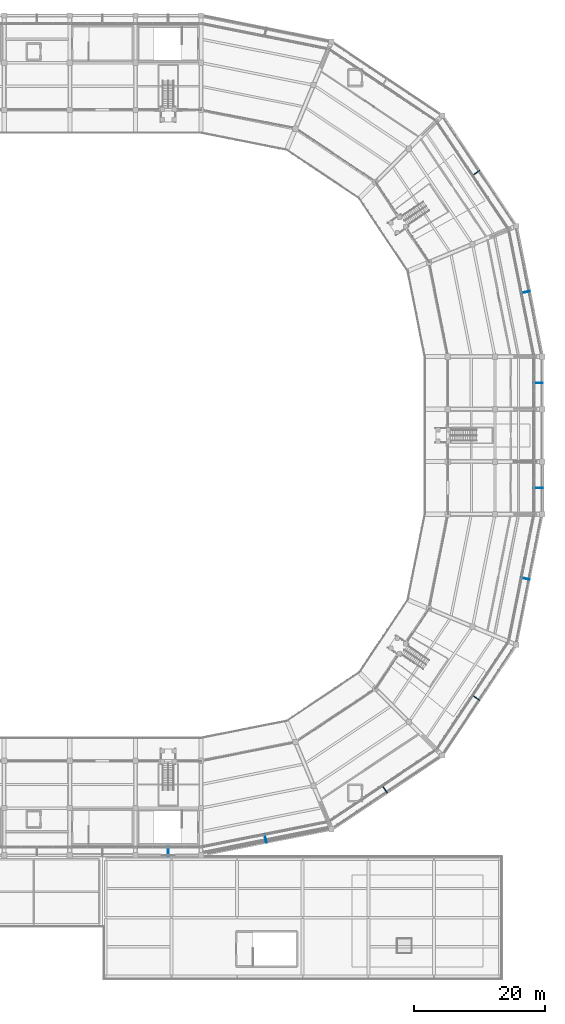
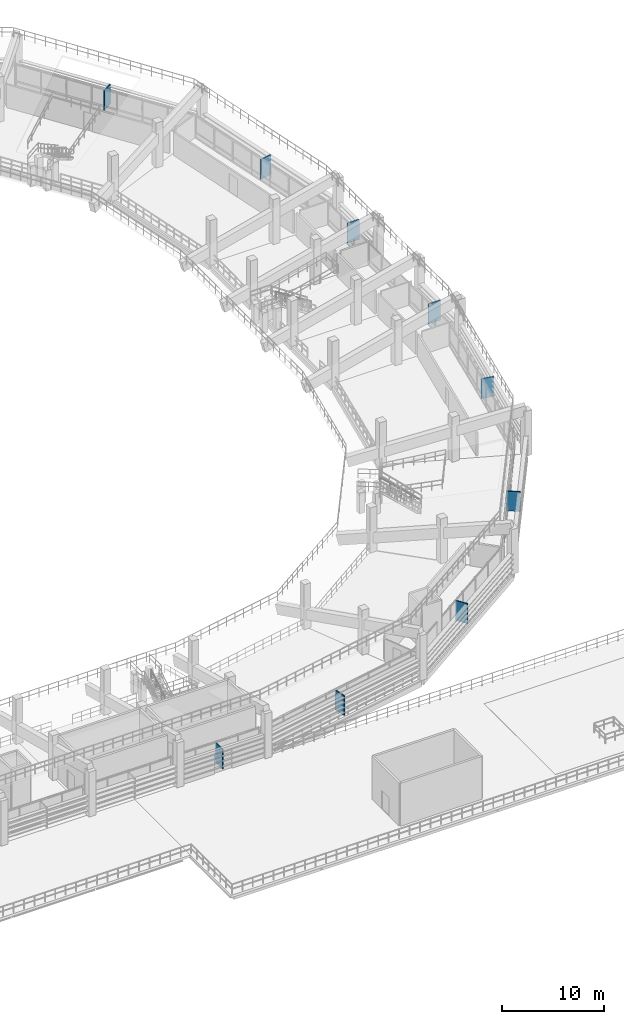
# One storey, part 73 of 96: 9 discrete accessories.
"""IFC4 building model written with IfcOpenShell, lengths in metres."""

from ifc_helpers import new_model, si_unit, direction, frame, origin, origin_2d, place, context, subcontext, project, spatial, rectangle, extrude, material, type_object, element, save


model = new_model("IFC4")

# Units and contexts
model_context = context("Model", 3, precision=1e-05, world=origin(), true_north=direction((0.0, 1.0)))
body_context = subcontext(model_context, "Body", "Model", "MODEL_VIEW")
ifc_project = project(units=[si_unit("LENGTHUNIT", "METRE"), si_unit("AREAUNIT", "SQUARE_METRE"), si_unit("VOLUMEUNIT", "CUBIC_METRE"), si_unit("PLANEANGLEUNIT", "RADIAN"), si_unit("MASSUNIT", "GRAM", prefix="KILO")], contexts=[model_context])

# Site, building, storey
site_placement = place(None, origin())
site = spatial("IfcSite", under=ifc_project, at=site_placement, CompositionType="ELEMENT")
building_placement = place(site_placement, origin())
building = spatial("IfcBuilding", under=site, at=building_placement, Name="Candeia Ridge Stadium", CompositionType="ELEMENT")
storey_placement = place(building_placement, frame((0.0, 0.0, 21.60009765625)))
storey = spatial("IfcBuildingStorey", under=building, at=storey_placement, Name="L04", CompositionType="ELEMENT", Elevation=21.60009765625)

# Discrete accessories
ifc_material = material(Name="Steel ASTM A572 Grade 50", Category="steel")
discrete_accessory_type = type_object("IfcDiscreteAccessoryType", Name="Solar Rib Outrigger Bracket BRK1", PredefinedType="BRACKET", material=ifc_material)
for number, where, z_axis, x_axis, name in (
    (1, (136.0, 19.60009765625, 0.19970703125), (0.0, 0.0, 1.0), (0.0, -1.0, 0.0), "Solar rib steel outrigger bracket L04 bay 25"),
    (2, (150.8349609375, 21.556396484375, 0.19970703125), (0.0, 0.0, 1.0), (0.19509022785, -0.980785299134, 0.0), "Solar rib steel outrigger bracket L04 bay 26"),
    (3, (169.007568359375, 29.083740234375, 0.19970703125), (0.0, 0.0, 1.0), (0.555570172084, -0.831469653018, 0.0), "Solar rib steel outrigger bracket L04 bay 27"),
    (4, (182.916259765625, 42.992431640625, 0.19970703125), (0.0, 0.0, 1.0), (0.831469653018, -0.555570172084, 0.0), "Solar rib steel outrigger bracket L04 bay 28"),
    (5, (190.443603515625, 61.1650390625, 0.19970703125), (0.0, 0.0, 1.0), (0.980785299134, -0.19509022785, 0.0), "Solar rib steel outrigger bracket L04 bay 29"),
    (6, (192.39990234375, 75.0, 0.19970703125), (0.0, 0.0, 1.0), (1.0, 0.0, 0.0), "Solar rib steel outrigger bracket L04 bay 30"),
    (7, (192.39990234375, 91.0, 0.19970703125), (0.0, 0.0, 1.0), (1.0, 0.0, 0.0), "Solar rib steel outrigger bracket L04 bay 32"),
    (8, (190.443603515625, 104.8349609375, 0.19970703125), (0.0, 0.0, 1.0), (0.980785299134, 0.19509022785, 0.0), "Solar rib steel outrigger bracket L04 bay 33"),
    (9, (182.916259765625, 123.007568359375, 0.19970703125), (0.0, 0.0, 1.0), (0.831469653018, 0.555570172084, 0.0), "Solar rib steel outrigger bracket L04 bay 34"),
):
    element("IfcDiscreteAccessory", number, at=place(storey_placement, frame(where, z_axis=z_axis, x_axis=x_axis)), inside=storey, type_object=discrete_accessory_type, Name=name, PredefinedType="BRACKET", context=body_context, shape_type="SweptSolid", body=[
        extrude(rectangle(XDim=1.35009765625, YDim=0.1201171875, at=origin_2d()), origin(), (0.0, 0.0, 1.0), 2.372314453125),
    ])

save(model, "model.ifc")
